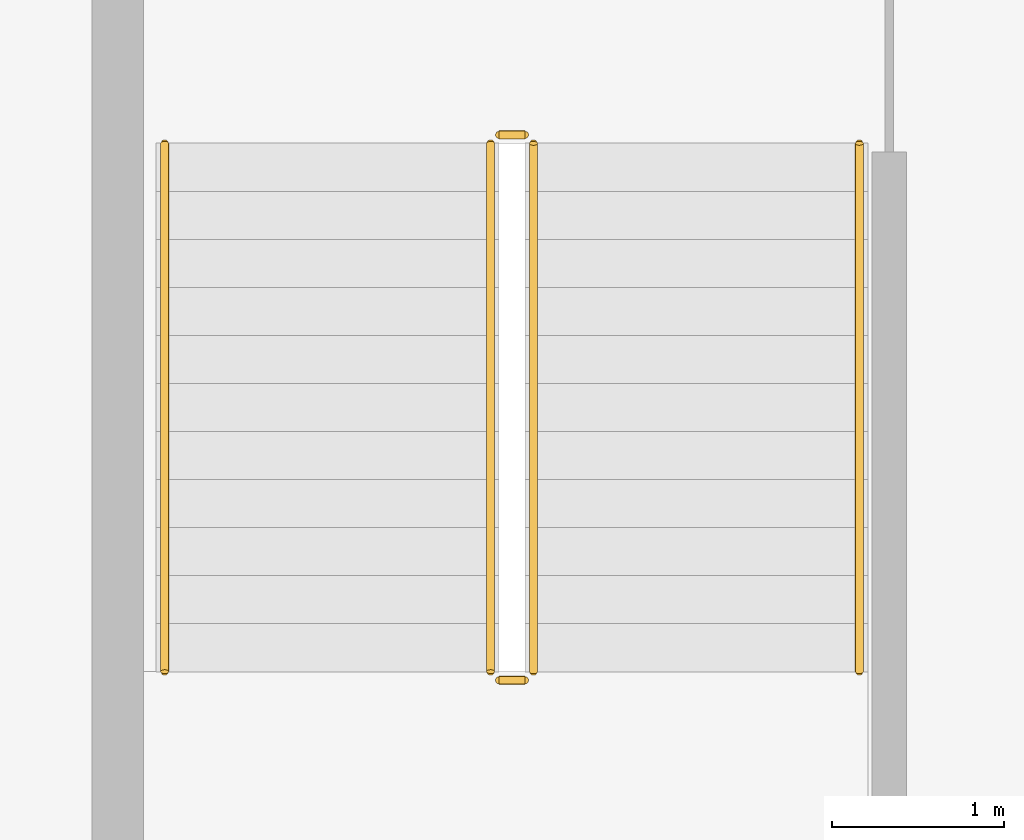
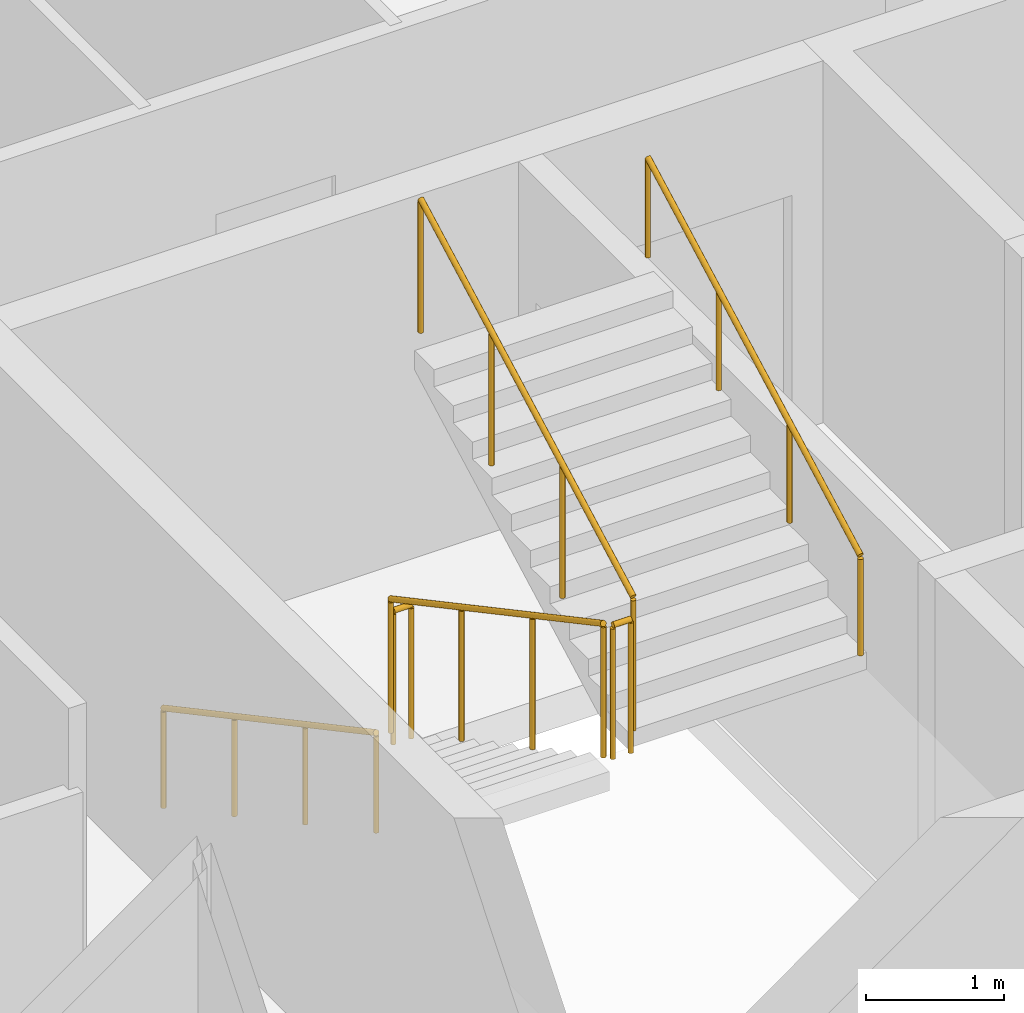
# One storey, part 15 of 17: 6 railings.
"""IFC4 building model written with IfcOpenShell, lengths in metres."""

from ifc_helpers import new_model, si_unit, direction, frame, origin, origin_2d, place, context, subcontext, project, spatial, circle, extrude, material, type_object, element, save


model = new_model("IFC4")

# Units and contexts
model_context = context("Model", 3, precision=1e-05, world=origin(), true_north=direction((0.0, 1.0)))
body_context = subcontext(model_context, "Body", "Model", "MODEL_VIEW")
ifc_project = project(units=[si_unit("LENGTHUNIT", "METRE"), si_unit("AREAUNIT", "SQUARE_METRE"), si_unit("VOLUMEUNIT", "CUBIC_METRE"), si_unit("PLANEANGLEUNIT", "RADIAN"), si_unit("MASSUNIT", "GRAM", prefix="KILO")], contexts=[model_context])

# Site, building, storey
site_placement = place(None, origin())
site = spatial("IfcSite", under=ifc_project, at=site_placement, CompositionType="ELEMENT")
building_placement = place(site_placement, origin())
building = spatial("IfcBuilding", under=site, at=building_placement, Name="Caravel Reach Hotel and Residences", CompositionType="ELEMENT")
storey_placement = place(building_placement, frame((0.0, 0.0, 136.800048828125)))
storey = spatial("IfcBuildingStorey", under=building, at=storey_placement, Name="L34", CompositionType="ELEMENT", Elevation=136.800048828125)

# Railings
ifc_material_1 = material(Name="Steel balustrade with glass infill", Category="steel")
railing_type_1 = type_object("IfcRailingType", Name="Guard 1200", PredefinedType="GUARDRAIL", material=ifc_material_1)
railing_1_placement = place(storey_placement, frame((20.175048828125, 29.35009765625, 0.14990234375)))
element("IfcRailing", 1, at=railing_1_placement, inside=storey, type_object=railing_type_1, Name="L34 ST-A stair guard 1", PredefinedType="GUARDRAIL", context=body_context, shape_type="SweptSolid", body=[
    extrude(circle(Radius=0.02392578125, at=origin_2d()), frame((0.0, 0.0, 1.17578125), z_axis=(0.0, -0.881467505477, 0.472244678941), x_axis=(1.0, 0.0, 0.0)), (0.0, 0.0, 1.0), 3.494140625),
    extrude(circle(Radius=0.02099609375, at=origin_2d()), origin(), (0.0, 0.0, 1.0), 1.15185546875),
    extrude(circle(Radius=0.02099609375, at=origin_2d()), frame((0.0, -1.026611328125, 0.550048828125)), (0.0, 0.0, 1.0), 1.15185546875),
    extrude(circle(Radius=0.02099609375, at=origin_2d()), frame((0.0, -2.053466796875, 1.10009765625)), (0.0, 0.0, 1.0), 1.15185546875),
    extrude(circle(Radius=0.02099609375, at=origin_2d()), frame((0.0, -3.080078125, 1.650146484375)), (0.0, 0.0, 1.0), 1.15185546875),
])
railing_2_placement = place(storey_placement, frame((20.22509765625, 26.219970703125, 1.800048828125)))
element("IfcRailing", 2, at=railing_2_placement, inside=storey, type_object=railing_type_1, Name="L34 ST-A stair guard 2", PredefinedType="GUARDRAIL", context=body_context, shape_type="SweptSolid", body=[
    extrude(circle(Radius=0.02392578125, at=origin_2d()), frame((0.0, 0.0, 1.17578125), z_axis=(1.0, 0.0, 0.0), x_axis=(0.0, 1.0, 0.0)), (0.0, 0.0, 1.0), 0.14990234375),
    extrude(circle(Radius=0.02099609375, at=origin_2d()), origin(), (0.0, 0.0, 1.0), 1.15185546875),
    extrude(circle(Radius=0.02099609375, at=origin_2d()), frame((0.14990234375, 0.0, 0.0)), (0.0, 0.0, 1.0), 1.15185546875),
])
railing_3_placement = place(storey_placement, frame((20.425048828125, 26.27001953125, 1.949951171875)))
element("IfcRailing", 3, at=railing_3_placement, inside=storey, type_object=railing_type_1, Name="L34 ST-A stair guard 3", PredefinedType="GUARDRAIL", context=body_context, shape_type="SweptSolid", body=[
    extrude(circle(Radius=0.02392578125, at=origin_2d()), frame((0.0, 0.0, 1.17578125), z_axis=(0.0, 0.881496589024, 0.472190389079), x_axis=(-1.0, 0.0, 0.0)), (0.0, 0.0, 1.0), 3.494140625),
    extrude(circle(Radius=0.02099609375, at=origin_2d()), origin(), (0.0, 0.0, 1.0), 1.15185546875),
    extrude(circle(Radius=0.02099609375, at=origin_2d()), frame((0.0, 1.026611328125, 0.550048828125)), (0.0, 0.0, 1.0), 1.15185546875),
    extrude(circle(Radius=0.02099609375, at=origin_2d()), frame((0.0, 2.053466796875, 1.099853515625)), (0.0, 0.0, 1.0), 1.15185546875),
    extrude(circle(Radius=0.02099609375, at=origin_2d()), frame((0.0, 3.080078125, 1.64990234375)), (0.0, 0.0, 1.0), 1.15185546875),
])
railing_4_placement = place(storey_placement, frame((20.22509765625, 29.39990234375, 0.0)))
element("IfcRailing", 4, at=railing_4_placement, inside=storey, type_object=railing_type_1, Name="L34 ST-A stair guard 4", PredefinedType="GUARDRAIL", context=body_context, shape_type="SweptSolid", body=[
    extrude(circle(Radius=0.02392578125, at=origin_2d()), frame((0.0, 0.0, 1.17578125), z_axis=(1.0, 0.0, 0.0), x_axis=(0.0, 1.0, 0.0)), (0.0, 0.0, 1.0), 0.14990234375),
    extrude(circle(Radius=0.02099609375, at=origin_2d()), origin(), (0.0, 0.0, 1.0), 1.15185546875),
    extrude(circle(Radius=0.02099609375, at=origin_2d()), frame((0.14990234375, 0.0, 0.0)), (0.0, 0.0, 1.0), 1.15185546875),
])
ifc_material_2 = material(Name="Stainless steel handrail", Category="steel")
railing_type_2 = type_object("IfcRailingType", Name="Handrail 900", PredefinedType="HANDRAIL", material=ifc_material_2)
railing_5_placement = place(storey_placement, frame((18.27490234375, 29.35009765625, 0.14990234375)))
element("IfcRailing", 5, at=railing_5_placement, inside=storey, type_object=railing_type_2, Name="L34 ST-A stair handrail 1", PredefinedType="HANDRAIL", context=body_context, shape_type="SweptSolid", body=[
    extrude(circle(Radius=0.02392578125, at=origin_2d()), frame((0.0, 0.0, 0.8759765625), z_axis=(0.0, -0.881467505477, 0.472244678941), x_axis=(1.0, 0.0, 0.0)), (0.0, 0.0, 1.0), 3.494140625),
    extrude(circle(Radius=0.02099609375, at=origin_2d()), origin(), (0.0, 0.0, 1.0), 0.851806640625),
    extrude(circle(Radius=0.02099609375, at=origin_2d()), frame((0.0, -1.026611328125, 0.550048828125)), (0.0, 0.0, 1.0), 0.851806640625),
    extrude(circle(Radius=0.02099609375, at=origin_2d()), frame((0.0, -2.053466796875, 1.10009765625)), (0.0, 0.0, 1.0), 0.851806640625),
    extrude(circle(Radius=0.02099609375, at=origin_2d()), frame((0.0, -3.080078125, 1.650146484375)), (0.0, 0.0, 1.0), 0.851806640625),
])
railing_6_placement = place(storey_placement, frame((22.324951171875, 26.27001953125, 1.949951171875)))
element("IfcRailing", 6, at=railing_6_placement, inside=storey, type_object=railing_type_2, Name="L34 ST-A stair handrail 2", PredefinedType="HANDRAIL", context=body_context, shape_type="SweptSolid", body=[
    extrude(circle(Radius=0.02392578125, at=origin_2d()), frame((0.0, 0.0, 0.8759765625), z_axis=(0.0, 0.881496589024, 0.472190389079), x_axis=(-1.0, 0.0, 0.0)), (0.0, 0.0, 1.0), 3.494140625),
    extrude(circle(Radius=0.02099609375, at=origin_2d()), origin(), (0.0, 0.0, 1.0), 0.851806640625),
    extrude(circle(Radius=0.02099609375, at=origin_2d()), frame((0.0, 1.026611328125, 0.550048828125)), (0.0, 0.0, 1.0), 0.851806640625),
    extrude(circle(Radius=0.02099609375, at=origin_2d()), frame((0.0, 2.053466796875, 1.099853515625)), (0.0, 0.0, 1.0), 0.851806640625),
    extrude(circle(Radius=0.02099609375, at=origin_2d()), frame((0.0, 3.080078125, 1.64990234375)), (0.0, 0.0, 1.0), 0.851806640625),
])

save(model, "model.ifc")
